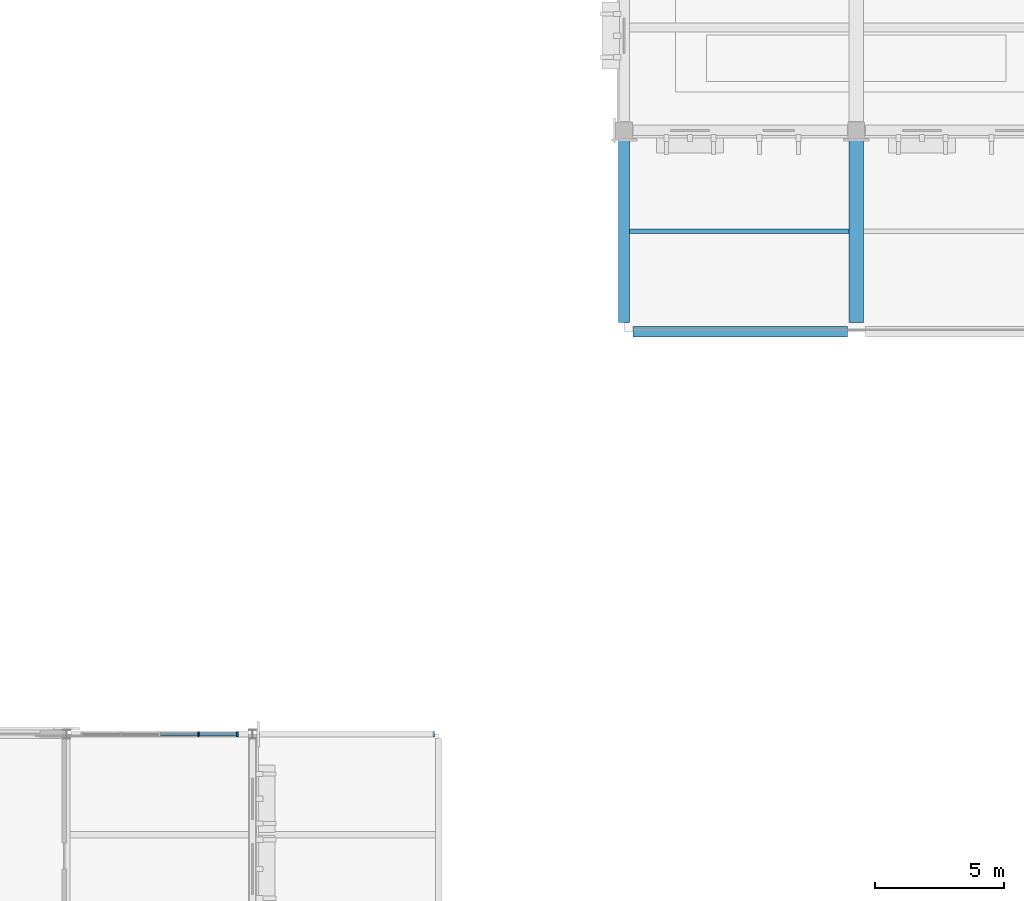
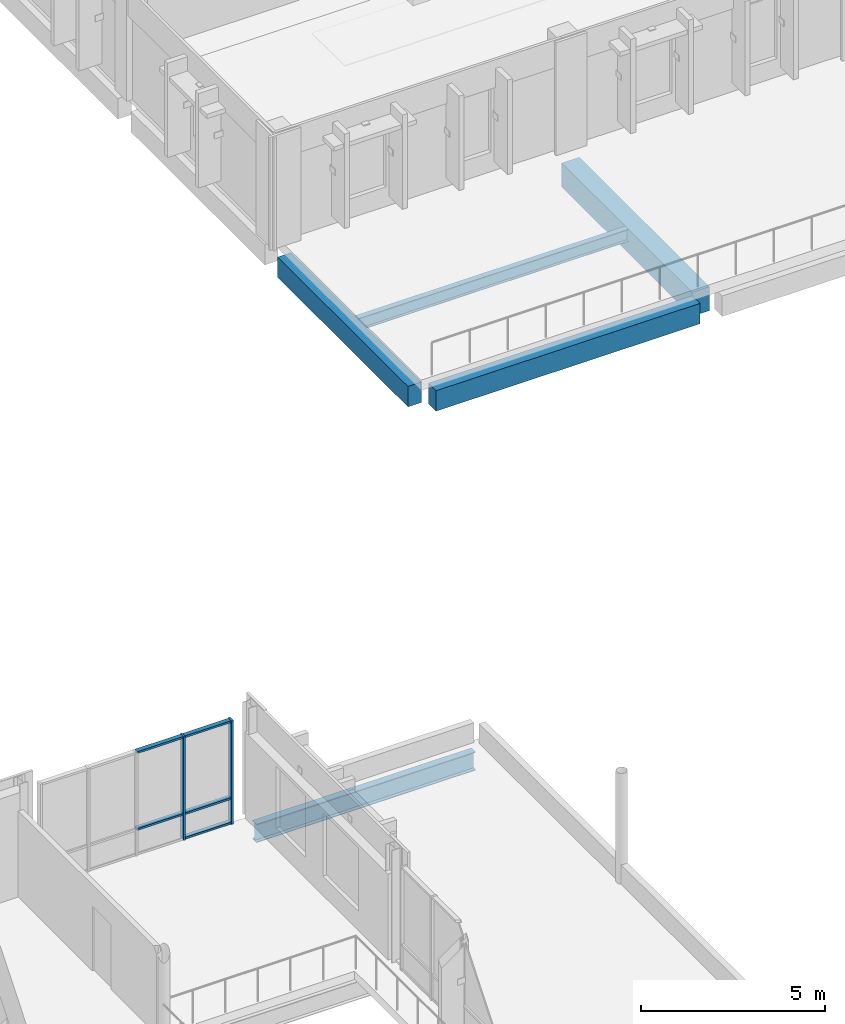
# One storey, part 5 of 23: 7 members, 5 beams, 1 element without a shape of its own.
"""IFC4 building model written with IfcOpenShell, lengths in metres."""

from ifc_helpers import new_model, si_unit, direction, frame, origin, origin_2d, place, context, subcontext, project, spatial, rectangle, i_section, extrude, material, material_profile, profile_set, type_object, element, aggregate, save


model = new_model("IFC4")

# Units and contexts
model_context = context("Model", 3, precision=1e-05, world=origin(), true_north=direction((0.0, 1.0)))
body_context = subcontext(model_context, "Body", "Model", "MODEL_VIEW")
ifc_project = project(units=[si_unit("LENGTHUNIT", "METRE"), si_unit("AREAUNIT", "SQUARE_METRE"), si_unit("VOLUMEUNIT", "CUBIC_METRE"), si_unit("PLANEANGLEUNIT", "RADIAN"), si_unit("MASSUNIT", "GRAM", prefix="KILO")], contexts=[model_context])

# Site, building, storey
site_placement = place(None, origin())
site = spatial("IfcSite", under=ifc_project, at=site_placement, CompositionType="ELEMENT")
building_placement = place(site_placement, origin())
building = spatial("IfcBuilding", under=site, at=building_placement, Name="Vervanel Yard Central Library", CompositionType="ELEMENT")
storey_placement = place(building_placement, frame((0.0, 0.0, 16.52001953125)))
storey = spatial("IfcBuildingStorey", under=building, at=storey_placement, Name="L04", CompositionType="ELEMENT", Elevation=16.52001953125)

# Beams
ifc_material_1 = material(Name="Concrete C40/50", Category="concrete")
ifc_material_profile_1 = material_profile(ifc_material_1, rectangle(XDim=0.419921875, YDim=0.679931640625, at=origin_2d()), Name="RC 420x680", Category="concrete")
ifc_profile_set_1 = profile_set([ifc_material_profile_1], Name="Concrete C40/50")
beam_type_1 = type_object("IfcBeamType", Name="Concrete Perimeter Spandrel 420x680", PredefinedType="SPANDREL", material=ifc_profile_set_1)
beam_1_placement = place(storey_placement, frame((36.35009765625, 82.199951171875, -0.68505859375), z_axis=(1.0, 0.0, 0.0), x_axis=(0.0, 1.0, 0.0)))
element("IfcBeam", 1, at=beam_1_placement, inside=storey, type_object=beam_type_1, Name="L04 Girder SP-04 Y=82.2 X=36.0-45.0", PredefinedType="SPANDREL", context=body_context, shape_type="SweptSolid", body=[
    extrude(rectangle(XDim=0.419921875, YDim=0.679931640625, at=origin_2d()), origin(), (0.0, 0.0, 1.0), 8.2998046875),
])
beam_2_placement = place(storey_placement, frame((36.0, 82.550048828125, -0.68505859375), z_axis=(0.0, 1.0, 0.0), x_axis=(-1.0, 0.0, 0.0)))
element("IfcBeam", 2, at=beam_2_placement, inside=storey, type_object=beam_type_1, Name="L04 Girder SP-04 X=36.0 Y=82.2-90.0", PredefinedType="SPANDREL", context=body_context, shape_type="SweptSolid", body=[
    extrude(rectangle(XDim=0.419921875, YDim=0.679931640625, at=origin_2d()), origin(), (0.0, 0.0, 1.0), 7.099853515625),
])
ifc_material_profile_2 = material_profile(ifc_material_1, rectangle(XDim=0.550048828125, YDim=0.800048828125, at=origin_2d()), Name="RC 550x800", Category="concrete")
ifc_profile_set_2 = profile_set([ifc_material_profile_2], Name="Concrete C40/50")
beam_type_2 = type_object("IfcBeamType", Name="Concrete Primary Girder 550x800", PredefinedType="BEAM", material=ifc_profile_set_2)
beam_3_placement = place(storey_placement, frame((45.0, 82.550048828125, -0.7451171875), z_axis=(0.0, 1.0, 0.0), x_axis=(-1.0, 0.0, 0.0)))
element("IfcBeam", 3, at=beam_3_placement, inside=storey, type_object=beam_type_2, Name="L04 Girder CB-02 X=45.0 Y=82.2-90.0", PredefinedType="BEAM", context=body_context, shape_type="SweptSolid", body=[
    extrude(rectangle(XDim=0.550048828125, YDim=0.800048828125, at=origin_2d()), origin(), (0.0, 0.0, 1.0), 7.099853515625),
])

# Curtain wall, members
ifc_material_2 = material(Name="Thermally broken anodized aluminium 6063-T6", Category="aluminium")
curtain_wall_type = type_object("IfcCurtainWallType", Name="Atrium Courtyard Curtain Wall", PredefinedType="NOTDEFINED", material=ifc_material_2)
curtain_wall_placement = place(storey_placement, origin())
curtain_wall = element("IfcCurtainWall", 4, at=curtain_wall_placement, inside=storey, type_object=curtain_wall_type, Name="L04 Atrium Courtyard Curtain Wall CWR-L04-047", PredefinedType="NOTDEFINED")
ifc_material_profile_3 = material_profile(ifc_material_2, rectangle(XDim=0.06494140625, YDim=0.18994140625, at=origin_2d()), Name="ALU 65x190", Category="aluminium")
ifc_profile_set_3 = profile_set([ifc_material_profile_3], Name="Thermally broken anodized aluminium 6063-T6")
member_type_1 = type_object("IfcMemberType", Name="Curtain Wall Primary Mullion 65x190", PredefinedType="MULLION", material=ifc_profile_set_3)
member_1_placement = place(storey_placement, frame((19.503662109375, 66.60009765625, 0.0), z_axis=(0.0, 0.0, 1.0), x_axis=(1.0, 0.0, 0.0)))
member_1 = element("IfcMember", 5, at=member_1_placement, type_object=member_type_1, Name="CWR-L04-047 Mullion 4", PredefinedType="MULLION", context=body_context, shape_type="SweptSolid", body=[
    extrude(rectangle(XDim=0.06494140625, YDim=0.18994140625, at=origin_2d()), origin(), (0.0, 0.0, 1.0), 3.43994140625),
])
member_2_placement = place(storey_placement, frame((21.007568359375, 66.60009765625, 0.0), z_axis=(0.0, 0.0, 1.0), x_axis=(1.0, 0.0, 0.0)))
member_2 = element("IfcMember", 6, at=member_2_placement, type_object=member_type_1, Name="CWR-L04-047 Mullion 5", PredefinedType="MULLION", context=body_context, shape_type="SweptSolid", body=[
    extrude(rectangle(XDim=0.06494140625, YDim=0.18994140625, at=origin_2d()), origin(), (0.0, 0.0, 1.0), 3.43994140625),
])
ifc_material_profile_4 = material_profile(ifc_material_2, rectangle(XDim=0.06494140625, YDim=0.139892578125, at=origin_2d()), Name="ALU 65x140", Category="aluminium")
ifc_profile_set_4 = profile_set([ifc_material_profile_4], Name="Thermally broken anodized aluminium 6063-T6")
member_type_2 = type_object("IfcMemberType", Name="Curtain Wall Transom 65x140", PredefinedType="NOTDEFINED", material=ifc_profile_set_4)
member_3_placement = place(storey_placement, frame((18.032470703125, 66.60009765625, 0.85009765625), z_axis=(1.0, 0.0, 0.0), x_axis=(0.0, 0.0, 1.0)))
member_3 = element("IfcMember", 7, at=member_3_placement, type_object=member_type_2, Name="CWR-L04-047 Transom B3-T2", ObjectType="TRANSOM", PredefinedType="USERDEFINED", context=body_context, shape_type="SweptSolid", body=[
    extrude(rectangle(XDim=0.06494140625, YDim=0.139892578125, at=origin_2d()), origin(), (0.0, 0.0, 1.0), 1.438720703125),
])
member_4_placement = place(storey_placement, frame((18.032470703125, 66.60009765625, 3.407470703125), z_axis=(1.0, 0.0, 0.0), x_axis=(0.0, 0.0, 1.0)))
member_4 = element("IfcMember", 8, at=member_4_placement, type_object=member_type_2, Name="CWR-L04-047 Transom B3-T3", ObjectType="TRANSOM", PredefinedType="USERDEFINED", context=body_context, shape_type="SweptSolid", body=[
    extrude(rectangle(XDim=0.06494140625, YDim=0.139892578125, at=origin_2d()), origin(), (0.0, 0.0, 1.0), 1.438720703125),
])
member_5_placement = place(storey_placement, frame((19.5361328125, 66.60009765625, 0.032470703125), z_axis=(1.0, 0.0, 0.0), x_axis=(0.0, 0.0, 1.0)))
member_5 = element("IfcMember", 9, at=member_5_placement, type_object=member_type_2, Name="CWR-L04-047 Transom B4-T1", ObjectType="TRANSOM", PredefinedType="USERDEFINED", context=body_context, shape_type="SweptSolid", body=[
    extrude(rectangle(XDim=0.06494140625, YDim=0.139892578125, at=origin_2d()), origin(), (0.0, 0.0, 1.0), 1.43896484375),
])
member_6_placement = place(storey_placement, frame((19.5361328125, 66.60009765625, 0.85009765625), z_axis=(1.0, 0.0, 0.0), x_axis=(0.0, 0.0, 1.0)))
member_6 = element("IfcMember", 10, at=member_6_placement, type_object=member_type_2, Name="CWR-L04-047 Transom B4-T2", ObjectType="TRANSOM", PredefinedType="USERDEFINED", context=body_context, shape_type="SweptSolid", body=[
    extrude(rectangle(XDim=0.06494140625, YDim=0.139892578125, at=origin_2d()), origin(), (0.0, 0.0, 1.0), 1.43896484375),
])
member_7_placement = place(storey_placement, frame((19.5361328125, 66.60009765625, 3.407470703125), z_axis=(1.0, 0.0, 0.0), x_axis=(0.0, 0.0, 1.0)))
member_7 = element("IfcMember", 11, at=member_7_placement, type_object=member_type_2, Name="CWR-L04-047 Transom B4-T3", ObjectType="TRANSOM", PredefinedType="USERDEFINED", context=body_context, shape_type="SweptSolid", body=[
    extrude(rectangle(XDim=0.06494140625, YDim=0.139892578125, at=origin_2d()), origin(), (0.0, 0.0, 1.0), 1.43896484375),
])
aggregate(curtain_wall, [member_1, member_2, member_3, member_4, member_5, member_6, member_7])

# Beams
ifc_material_3 = material(Name="Steel ASTM A992 Grade 50", Category="steel")
ifc_material_profile_5 = material_profile(ifc_material_3, i_section(OverallWidth=0.22900390625, OverallDepth=0.612060546875, WebThickness=0.011962890625, FlangeThickness=0.01953125, at=origin_2d()), Name="W24X84", Category="steel")
ifc_profile_set_5 = profile_set([ifc_material_profile_5], Name="Steel ASTM A992 Grade 50")
beam_type_3 = type_object("IfcBeamType", Name="Steel Primary Girder W24X84", PredefinedType="BEAM", material=ifc_profile_set_5)
beam_4_placement = place(storey_placement, frame((21.753662109375, 66.60009765625, -0.56103515625), z_axis=(1.0, 0.0, 0.0), x_axis=(0.0, 1.0, 0.0)))
element("IfcBeam", 12, at=beam_4_placement, inside=storey, type_object=beam_type_3, Name="L04 Girder SB-01 Y=66.6 X=21.6-28.8", PredefinedType="BEAM", context=body_context, shape_type="SweptSolid", body=[
    extrude(i_section(OverallWidth=0.22900390625, OverallDepth=0.612060546875, WebThickness=0.011962890625, FlangeThickness=0.01953125, at=origin_2d()), origin(), (0.0, 0.0, 1.0), 6.892578125),
])
ifc_material_profile_6 = material_profile(ifc_material_3, i_section(OverallWidth=0.1787109375, OverallDepth=0.408935546875, WebThickness=0.0087890625, FlangeThickness=0.014404296875, at=origin_2d()), Name="W16X45", Category="steel")
ifc_profile_set_6 = profile_set([ifc_material_profile_6], Name="Steel ASTM A992 Grade 50")
beam_type_4 = type_object("IfcBeamType", Name="Steel Secondary Joist W16X45", PredefinedType="JOIST", material=ifc_profile_set_6)
beam_5_placement = place(storey_placement, frame((36.2099609375, 86.10009765625, -0.549560546875), z_axis=(1.0, 0.0, 0.0), x_axis=(0.0, 1.0, 0.0)))
element("IfcBeam", 13, at=beam_5_placement, inside=storey, type_object=beam_type_4, Name="L04 Floor Joist SJ-01 Y=86.10 X=36.0-45.0", PredefinedType="JOIST", context=body_context, shape_type="SweptSolid", body=[
    extrude(i_section(OverallWidth=0.1787109375, OverallDepth=0.408935546875, WebThickness=0.0087890625, FlangeThickness=0.014404296875, at=origin_2d()), origin(), (0.0, 0.0, 1.0), 8.51513671875),
])

save(model, "model.ifc")
